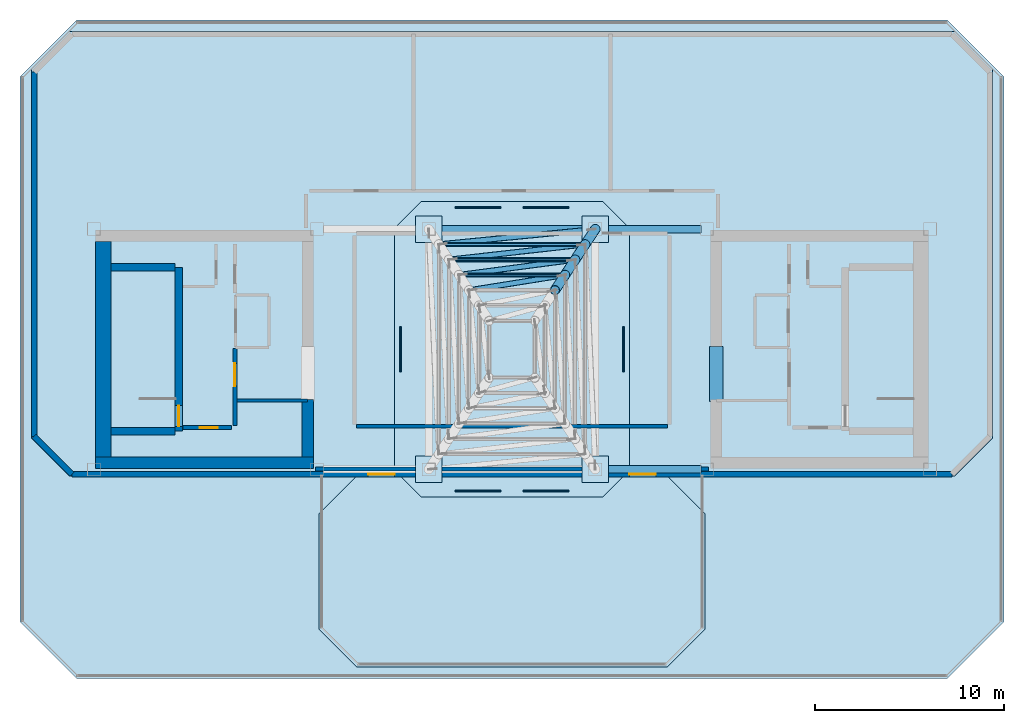
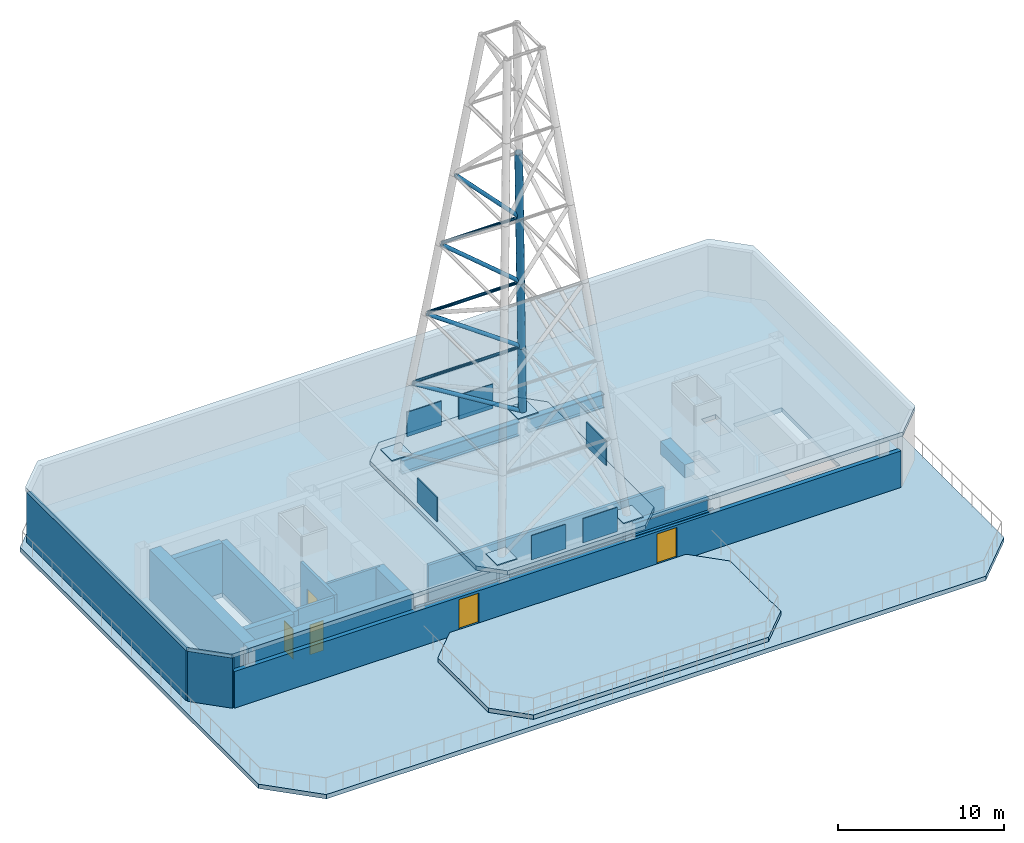
# One storey, part 2 of 7: 14 walls, 11 members, 10 plates, 5 doors, 4 beams, 4 slabs, 5 openings.
"""IFC4 building model written with IfcOpenShell, lengths in metres."""

from ifc_helpers import new_model, si_unit, direction, frame, frame_2d, origin, origin_2d, place, context, subcontext, project, spatial, polyline, rectangle, hollow_circle, i_section, outline, extrude, material, layer, layer_set, material_profile, profile_set, type_object, element, fill, save


model = new_model("IFC4")

# Units and contexts
model_context = context("Model", 3, precision=1e-05, world=origin(), true_north=direction((0.0, 1.0)))
body_context = subcontext(model_context, "Body", "Model", "MODEL_VIEW")
ifc_project = project(units=[si_unit("LENGTHUNIT", "METRE"), si_unit("AREAUNIT", "SQUARE_METRE"), si_unit("VOLUMEUNIT", "CUBIC_METRE"), si_unit("PLANEANGLEUNIT", "RADIAN"), si_unit("MASSUNIT", "GRAM", prefix="KILO")], contexts=[model_context])

# Site, building, storey
site_placement = place(None, origin())
site = spatial("IfcSite", under=ifc_project, at=site_placement, CompositionType="ELEMENT")
building_placement = place(site_placement, origin())
building = spatial("IfcBuilding", under=site, at=building_placement, Name="Tavrogorsk Clinical Tower", CompositionType="ELEMENT")
storey_placement = place(building_placement, frame((0.0, 0.0, 357.0)))
storey = spatial("IfcBuildingStorey", under=building, at=storey_placement, Name="L83", CompositionType="ELEMENT", Elevation=357.0)

# Beam
ifc_material_1 = material(Name="Concrete B80", Category="concrete")
ifc_material_profile_1 = material_profile(ifc_material_1, rectangle(XDim=0.699951171875, YDim=0.949951171875, at=origin_2d()), Name="RC-CB-700x950")
ifc_profile_set_1 = profile_set([ifc_material_profile_1], Name="Concrete B80")
beam_type_1 = type_object("IfcBeamType", Name="CouplingBeam_RC700x950", PredefinedType="LINTEL", material=ifc_profile_set_1)
beam_1_placement = place(storey_placement, frame((10.800048828125, -2.75, 3.22509765625), z_axis=(0.0, 1.0, 0.0), x_axis=(-1.0, 0.0, 0.0)))
element("IfcBeam", 1, at=beam_1_placement, inside=storey, type_object=beam_type_1, Name="L83 Core East Coupling Beam", PredefinedType="LINTEL", context=body_context, shape_type="SweptSolid", body=[
    extrude(rectangle(XDim=0.699951171875, YDim=0.949951171875, at=origin_2d()), origin(), (0.0, 0.0, 1.0), 2.89990234375),
])

# Members
ifc_material_2 = material(Name="Structural steel S440", Category="steel")
ifc_material_profile_2 = material_profile(ifc_material_2, hollow_circle(Radius=0.136474609375, WallThickness=0.012451171875, at=origin_2d()), Name="CHS-273x12.5")
ifc_profile_set_2 = profile_set([ifc_material_profile_2], Name="Structural steel S440")
member_type_1 = type_object("IfcMemberType", Name="MastBrace_CHS273_MAST", PredefinedType="USERDEFINED", material=ifc_profile_set_2)
member_1_placement = place(storey_placement, frame((4.2001953125, 6.33056640625, 4.431640625), z_axis=(-0.832431285914, -0.081398677443, 0.54811714947), x_axis=(0.097320091354, -0.995253133539, 0.0)))
element("IfcMember", 2, at=member_1_placement, inside=storey, type_object=member_type_1, Name="Broadcast Mast Diagonal Brace Tier 1 Face 3", ObjectType="MAST", PredefinedType="USERDEFINED", context=body_context, shape_type="SweptSolid", body=[
    extrude(hollow_circle(Radius=0.136474609375, WallThickness=0.012451171875, at=origin_2d()), origin(), (0.0, 0.0, 1.0), 9.450927734375),
])
member_2_placement = place(storey_placement, frame((3.676025390625, 5.520263671875, 9.887451171875), z_axis=(-0.794506902152, -0.089210986614, 0.600666448456), x_axis=(0.111583510671, -0.993755060438, 0.0)))
element("IfcMember", 3, at=member_2_placement, inside=storey, type_object=member_type_1, Name="Broadcast Mast Diagonal Brace Tier 2 Face 3", ObjectType="MAST", PredefinedType="USERDEFINED", context=body_context, shape_type="SweptSolid", body=[
    extrude(hollow_circle(Radius=0.136474609375, WallThickness=0.012451171875, at=origin_2d()), origin(), (0.0, 0.0, 1.0), 8.582275390625),
])
member_3_placement = place(storey_placement, frame((3.154541015625, 4.709716796875, 15.34521484375), z_axis=(-0.744309424169, -0.09809606833, 0.660591131088), x_axis=(0.130664812929, -0.991426601752, 0.0)))
element("IfcMember", 4, at=member_3_placement, inside=storey, type_object=member_type_1, Name="Broadcast Mast Diagonal Brace Tier 3 Face 3", ObjectType="MAST", PredefinedType="USERDEFINED", context=body_context, shape_type="SweptSolid", body=[
    extrude(hollow_circle(Radius=0.136474609375, WallThickness=0.012451171875, at=origin_2d()), origin(), (0.0, 0.0, 1.0), 7.760009765625),
])
member_4_placement = place(storey_placement, frame((2.637451171875, 3.899169921875, 20.8046875), z_axis=(-0.677351605092, -0.108079117711, 0.727676925149), x_axis=(0.157568101825, -0.98750812315, 0.0)))
element("IfcMember", 5, at=member_4_placement, inside=storey, type_object=member_type_1, Name="Broadcast Mast Diagonal Brace Tier 4 Face 3", ObjectType="MAST", PredefinedType="USERDEFINED", context=body_context, shape_type="SweptSolid", body=[
    extrude(hollow_circle(Radius=0.136474609375, WallThickness=0.012451171875, at=origin_2d()), origin(), (0.0, 0.0, 1.0), 7.000244140625),
])
ifc_material_3 = material(Name="Structural steel S440", Category="steel")
ifc_material_profile_3 = material_profile(ifc_material_3, hollow_circle(Radius=0.109619140625, WallThickness=0.010009765625, at=origin_2d()), Name="CHS-219.1x10")
ifc_profile_set_3 = profile_set([ifc_material_profile_3], Name="Structural steel S440")
member_type_2 = type_object("IfcMemberType", Name="MastGirt_CHS219_MAST", PredefinedType="USERDEFINED", material=ifc_profile_set_3)
member_5_placement = place(storey_placement, frame((3.686767578125, 5.541748046875, 9.743408203125), z_axis=(-1.0, 0.0, 0.0), x_axis=(0.0, -1.0, 0.0)))
element("IfcMember", 6, at=member_5_placement, inside=storey, type_object=member_type_2, Name="Broadcast Mast Ring Girt Tier 1 Face 3", ObjectType="MAST", PredefinedType="USERDEFINED", context=body_context, shape_type="SweptSolid", body=[
    extrude(hollow_circle(Radius=0.109619140625, WallThickness=0.010009765625, at=origin_2d()), origin(), (0.0, 0.0, 1.0), 7.37353515625),
])
member_6_placement = place(storey_placement, frame((3.1533203125, 4.7333984375, 15.186767578125), z_axis=(-1.0, 0.0, 0.0), x_axis=(0.0, -1.0, 0.0)))
element("IfcMember", 7, at=member_6_placement, inside=storey, type_object=member_type_2, Name="Broadcast Mast Ring Girt Tier 2 Face 3", ObjectType="MAST", PredefinedType="USERDEFINED", context=body_context, shape_type="SweptSolid", body=[
    extrude(hollow_circle(Radius=0.109619140625, WallThickness=0.010009765625, at=origin_2d()), origin(), (0.0, 0.0, 1.0), 6.306640625),
])
member_7_placement = place(storey_placement, frame((2.6201171875, 3.925048828125, 20.6298828125), z_axis=(-1.0, 0.0, 0.0), x_axis=(0.0, -1.0, 0.0)))
element("IfcMember", 8, at=member_7_placement, inside=storey, type_object=member_type_2, Name="Broadcast Mast Ring Girt Tier 3 Face 3", ObjectType="MAST", PredefinedType="USERDEFINED", context=body_context, shape_type="SweptSolid", body=[
    extrude(hollow_circle(Radius=0.109619140625, WallThickness=0.010009765625, at=origin_2d()), origin(), (0.0, 0.0, 1.0), 5.240234375),
])
ifc_material_4 = material(Name="Structural steel S440", Category="steel")
ifc_material_profile_4 = material_profile(ifc_material_4, hollow_circle(Radius=0.25390625, WallThickness=0.02001953125, at=origin_2d()), Name="CHS-508x20")
ifc_profile_set_4 = profile_set([ifc_material_profile_4], Name="Structural steel S440")
member_type_3 = type_object("IfcMemberType", Name="MastLeg_CHS508_MAST", PredefinedType="USERDEFINED", material=ifc_profile_set_4)
member_8_placement = place(storey_placement, frame((4.39990234375, 6.35009765625, 3.9599609375), z_axis=(-0.090928887162, -0.137850524447, 0.986270333321), x_axis=(0.834755420347, -0.550620911518, 0.0)))
element("IfcMember", 9, at=member_8_placement, inside=storey, type_object=member_type_3, Name="Broadcast Mast Leg Tier 1 Leg 3", ObjectType="MAST", PredefinedType="USERDEFINED", context=body_context, shape_type="SweptSolid", body=[
    extrude(hollow_circle(Radius=0.25390625, WallThickness=0.02001953125, at=origin_2d()), origin(), (0.0, 0.0, 1.0), 5.864013671875),
])
member_9_placement = place(storey_placement, frame((3.86669921875, 5.541748046875, 9.723388671875), z_axis=(-0.096141591018, -0.14568641092, 0.984648294646), x_axis=(0.834639537011, -0.550796553419, 0.0)))
element("IfcMember", 10, at=member_9_placement, inside=storey, type_object=member_type_3, Name="Broadcast Mast Leg Tier 2 Leg 3", ObjectType="MAST", PredefinedType="USERDEFINED", context=body_context, shape_type="SweptSolid", body=[
    extrude(hollow_circle(Radius=0.25390625, WallThickness=0.02001953125, at=origin_2d()), origin(), (0.0, 0.0, 1.0), 5.548583984375),
])
for number, where, z_axis, x_axis, name in (
    (11, (3.333251953125, 4.7333984375, 15.166748046875), (-0.096102160403, -0.145693339329, 0.984651118743), (0.834755420347, -0.550620911518, 0.0), "Broadcast Mast Leg Tier 3 Leg 3"),
    (12, (2.800048828125, 3.925048828125, 20.610107421875), (-0.096145756553, -0.145692723088, 0.984646953957), (0.834639537011, -0.550796553419, 0.0), "Broadcast Mast Leg Tier 4 Leg 3"),
):
    element("IfcMember", number, at=place(storey_placement, frame(where, z_axis=z_axis, x_axis=x_axis)), inside=storey, type_object=member_type_3, Name=name, ObjectType="MAST", PredefinedType="USERDEFINED", context=body_context, shape_type="SweptSolid", body=[
        extrude(hollow_circle(Radius=0.25390625, WallThickness=0.02001953125, at=origin_2d()), origin(), (0.0, 0.0, 1.0), 5.54833984375),
    ])

# Beams
ifc_material_5 = material(Name="Structural steel S440", Category="steel")
ifc_material_profile_5 = material_profile(ifc_material_5, i_section(OverallWidth=0.39990234375, OverallDepth=1.0, WebThickness=0.028076171875, FlangeThickness=0.044921875, at=origin_2d()), Name="DK-1000x400x28x45")
ifc_profile_set_5 = profile_set([ifc_material_profile_5], Name="Structural steel S440")
beam_type_2 = type_object("IfcBeamType", Name="TransferGirder_DK1000", PredefinedType="USERDEFINED", material=ifc_profile_set_5)
beam_2_placement = place(storey_placement, frame((-4.090087890625, 6.35009765625, 3.199951171875), z_axis=(1.0, 0.0, 0.0), x_axis=(0.0, 1.0, 0.0)))
element("IfcBeam", 13, at=beam_2_placement, inside=storey, type_object=beam_type_2, Name="L83 Primary Spine Girder MG-04", ObjectType="GIRDER", PredefinedType="USERDEFINED", context=body_context, shape_type="SweptSolid", body=[
    extrude(i_section(OverallWidth=0.39990234375, OverallDepth=1.0, WebThickness=0.028076171875, FlangeThickness=0.044921875, at=origin_2d()), origin(), (0.0, 0.0, 1.0), 8.18017578125),
])
for number, where, z_axis, x_axis, name in (
    (14, (4.7099609375, -6.35009765625, 3.199951171875), (1.0, 0.0, 0.0), (0.0, 1.0, 0.0), "L83 Primary Spine Girder MG-05"),
    (15, (4.7099609375, 6.35009765625, 3.199951171875), (1.0, 0.0, 0.0), (0.0, 1.0, 0.0), "L83 Primary Spine Girder MG-06"),
):
    element("IfcBeam", number, at=place(storey_placement, frame(where, z_axis=z_axis, x_axis=x_axis)), inside=storey, type_object=beam_type_2, Name=name, ObjectType="GIRDER", PredefinedType="USERDEFINED", context=body_context, shape_type="SweptSolid", body=[
        extrude(i_section(OverallWidth=0.39990234375, OverallDepth=1.0, WebThickness=0.028076171875, FlangeThickness=0.044921875, at=origin_2d()), origin(), (0.0, 0.0, 1.0), 5.280029296875),
    ])

# Plates
ifc_material_6 = material(Name="Powder-coated aluminium acoustic louvre", Category="aluminium")
ifc_layer_1 = layer(ifc_material_6, 0.074951171875)
ifc_layer_set_1 = layer_set([ifc_layer_1], Name="Powder-coated aluminium acoustic louvre")
plate_type_1 = type_object("IfcPlateType", Name="AcousticPlantLouvre_75", PredefinedType="SHEET", material=ifc_layer_set_1)
for number, where, z_axis, x_axis, name in (
    (16, (-1.800048828125, -7.5, 4.2998046875), (0.0, 0.0, 1.0), (1.0, 0.0, 0.0), "L83 Mast Turret Telemetry Louvre S1"),
    (17, (1.800048828125, -7.5, 4.2998046875), (0.0, 0.0, 1.0), (1.0, 0.0, 0.0), "L83 Mast Turret Telemetry Louvre S2"),
    (18, (-1.800048828125, 7.5, 4.2998046875), (0.0, 0.0, 1.0), (1.0, 0.0, 0.0), "L83 Mast Turret Telemetry Louvre N1"),
    (19, (1.800048828125, 7.5, 4.2998046875), (0.0, 0.0, 1.0), (1.0, 0.0, 0.0), "L83 Mast Turret Telemetry Louvre N2"),
    (20, (-5.89990234375, 0.0, 4.2998046875), (0.0, 0.0, 1.0), (0.0, 1.0, 0.0), "L83 Mast Turret Telemetry Louvre W1"),
    (21, (5.89990234375, 0.0, 4.2998046875), (0.0, 0.0, 1.0), (0.0, 1.0, 0.0), "L83 Mast Turret Telemetry Louvre E1"),
):
    element("IfcPlate", number, at=place(storey_placement, frame(where, z_axis=z_axis, x_axis=x_axis)), inside=storey, type_object=plate_type_1, Name=name, PredefinedType="SHEET", context=body_context, shape_type="SweptSolid", body=[
        extrude(rectangle(XDim=2.39990234375, YDim=0.074951171875, at=origin_2d()), origin(), (0.0, 0.0, 1.0), 1.800048828125),
    ])

# Slabs
ifc_material_7 = material(Name="Concrete B60", Category="concrete")
ifc_layer_2 = layer(ifc_material_7, 0.300048828125)
ifc_layer_set_2 = layer_set([ifc_layer_2], Name="Concrete B60")
slab_type_1 = type_object("IfcSlabType", Name="CrownRoofSlab_300", PredefinedType="FLOOR", material=ifc_layer_set_2)
slab_1_placement = place(storey_placement, frame((0.0, 0.0, 3.699951171875)))
element("IfcSlab", 22, at=slab_1_placement, inside=storey, type_object=slab_type_1, Name="L83 Crown Mast Structural Plinth Deck", PredefinedType="FLOOR", context=body_context, shape_type="SweptSolid", body=[
    extrude(outline(polyline([(-23.39990234375, -6.699951171875), (23.39990234375, -6.699951171875), (25.39990234375, -4.699951171875), (25.39990234375, 14.800048828125), (23.39990234375, 16.800048828125), (-23.39990234375, 16.800048828125), (-25.39990234375, 14.800048828125), (-25.39990234375, -4.699951171875), (-23.39990234375, -6.699951171875)])), origin(), (0.0, 0.0, 1.0), 0.300048828125),
])
slab_2_placement = place(storey_placement, frame((0.0, 0.0, 4.0)))
element("IfcSlab", 23, at=slab_2_placement, inside=storey, type_object=slab_type_1, Name="L83 Broadcast Mast Pedestal Slab", PredefinedType="FLOOR", context=body_context, shape_type="SweptSolid", body=[
    extrude(outline(polyline([(-4.800048828125, -7.800048828125), (4.800048828125, -7.800048828125), (6.199951171875, -6.39990234375), (6.199951171875, 6.39990234375), (4.800048828125, 7.800048828125), (-4.800048828125, 7.800048828125), (-6.199951171875, 6.39990234375), (-6.199951171875, -6.39990234375), (-4.800048828125, -7.800048828125)])), origin(), (0.0, 0.0, 1.0), 0.300048828125),
])
ifc_material_8 = material(Name="Concrete B60", Category="concrete")
ifc_layer_3 = layer(ifc_material_8, 0.320068359375)
ifc_layer_set_3 = layer_set([ifc_layer_3], Name="Concrete B60")
slab_type_2 = type_object("IfcSlabType", Name="HelipadDeckSlab_320", PredefinedType="ROOF", material=ifc_layer_set_3)
slab_3_placement = place(storey_placement, origin())
element("IfcSlab", 24, at=slab_3_placement, inside=storey, type_object=slab_type_2, Name="Rooftop Air-Ambulance Helipad Plinth", PredefinedType="ROOF", context=body_context, shape_type="SweptSolid", body=[
    extrude(outline(polyline([(-8.199951171875, -16.800048828125), (8.199951171875, -16.800048828125), (10.199951171875, -14.800048828125), (10.199951171875, -8.699951171875), (8.199951171875, -6.699951171875), (-8.199951171875, -6.699951171875), (-10.199951171875, -8.699951171875), (-10.199951171875, -14.800048828125), (-8.199951171875, -16.800048828125)])), origin(), (0.0, 0.0, 1.0), 0.320068359375),
])

# Plates
ifc_material_9 = material(Name="Structural steel S440", Category="steel")
ifc_layer_4 = layer(ifc_material_9, 0.080078125)
ifc_layer_set_4 = layer_set([ifc_layer_4], Name="Structural steel S440")
plate_type_2 = type_object("IfcPlateType", Name="MastBasePlate_1400x1400x80", PredefinedType="USERDEFINED", material=ifc_layer_set_4)
for number, where, z_axis, x_axis, name in (
    (25, (-4.39990234375, -6.35009765625, 4.300048828125), (0.0, 0.0, 1.0), (1.0, 0.0, 0.0), "Broadcast Mast Leg Base Plate MP-01-1"),
    (26, (4.39990234375, -6.35009765625, 4.300048828125), (0.0, 0.0, 1.0), (1.0, 0.0, 0.0), "Broadcast Mast Leg Base Plate MP-01-2"),
    (27, (4.39990234375, 6.35009765625, 4.300048828125), (0.0, 0.0, 1.0), (1.0, 0.0, 0.0), "Broadcast Mast Leg Base Plate MP-01-3"),
    (28, (-4.39990234375, 6.35009765625, 4.300048828125), (0.0, 0.0, 1.0), (1.0, 0.0, 0.0), "Broadcast Mast Leg Base Plate MP-01-4"),
):
    element("IfcPlate", number, at=place(storey_placement, frame(where, z_axis=z_axis, x_axis=x_axis)), inside=storey, type_object=plate_type_2, Name=name, ObjectType="BASE_PLATE", PredefinedType="USERDEFINED", context=body_context, shape_type="SweptSolid", body=[
        extrude(rectangle(XDim=1.39990234375, YDim=1.39990234375, at=origin_2d()), origin(), (0.0, 0.0, 1.0), 0.080078125),
    ])

# Slab
ifc_material_10 = material(Name="Concrete B60", Category="concrete")
ifc_layer_5 = layer(ifc_material_10, 0.320068359375)
ifc_layer_set_5 = layer_set([ifc_layer_5], Name="Concrete B60")
slab_type_3 = type_object("IfcSlabType", Name="PlantRefugeSlab_320", PredefinedType="FLOOR", material=ifc_layer_set_5)
slab_4_placement = place(storey_placement, frame((0.0, 0.0, -0.320068359375)))
element("IfcSlab", 29, at=slab_4_placement, inside=storey, type_object=slab_type_3, Name="L83 Structural Slab", PredefinedType="FLOOR", context=body_context, shape_type="SweptSolid", body=[
    extrude(outline(polyline([(-23.0, -17.39990234375), (23.0, -17.39990234375), (26.0, -14.39990234375), (26.0, 14.39990234375), (23.0, 17.39990234375), (-23.0, 17.39990234375), (-26.0, 14.39990234375), (-26.0, -14.39990234375), (-23.0, -17.39990234375)]), holes=[polyline([(-17.800048828125, -2.8798828125), (-17.800048828125, 4.125), (-21.199951171875, 4.125), (-21.199951171875, -2.8798828125), (-17.800048828125, -2.8798828125)]), polyline([(21.199951171875, -2.8798828125), (21.199951171875, 4.125), (17.800048828125, 4.125), (17.800048828125, -2.8798828125), (21.199951171875, -2.8798828125)]), polyline([(-14.6201171875, 0.169921875), (-12.860107421875, 0.169921875), (-12.860107421875, 2.72998046875), (-14.6201171875, 2.72998046875), (-14.6201171875, 0.169921875)]), polyline([(12.860107421875, 0.169921875), (14.6201171875, 0.169921875), (14.6201171875, 2.72998046875), (12.860107421875, 2.72998046875), (12.860107421875, 0.169921875)]), polyline([(-17.3798828125, 3.449951171875), (-16.3798828125, 3.449951171875), (-16.3798828125, 5.5), (-17.3798828125, 5.5), (-17.3798828125, 3.449951171875)]), polyline([(16.3798828125, 3.449951171875), (17.3798828125, 3.449951171875), (17.3798828125, 5.5), (16.3798828125, 5.5), (16.3798828125, 3.449951171875)])]), origin(), (0.0, 0.0, 1.0), 0.320068359375),
])

# Wall, opening, door
ifc_material_11 = material(Name="Concrete B60", Category="concrete")
ifc_layer_6 = layer(ifc_material_11, 0.199951171875)
ifc_layer_set_6 = layer_set([ifc_layer_6], Name="Concrete B60")
wall_type_1 = type_object("IfcWallType", Name="CoreFireWall_200", PredefinedType="SOLIDWALL", material=ifc_layer_set_6)
wall_1_placement = place(storey_placement, frame((-17.3798828125, -4.139892578125, 0.0), z_axis=(0.0, 0.0, 1.0), x_axis=(1.0, 0.0, 0.0)))
wall_1 = element("IfcWall", 30, at=wall_1_placement, inside=storey, type_object=wall_type_1, Name="L83 Core West South Core Room Fire Wall", PredefinedType="SOLIDWALL", context=body_context, shape_type="SweptSolid", body=[
    extrude(rectangle(XDim=2.554931640625, YDim=0.199951171875, at=frame_2d((1.27734375, 0.0))), origin(), (0.0, 0.0, 1.0), 3.699951171875),
])
opening_1_placement = place(wall_1_placement, frame((0.8798828125, 0.0, 0.0)))
opening_1 = element("IfcOpeningElement", 31, at=opening_1_placement, cuts=wall_1, Name="Opening ID-02", PredefinedType="OPENING", context=body_context, shape_type="SweptSolid", body=[
    extrude(rectangle(XDim=0.949951171875, YDim=2.199951171875, at=frame_2d((0.47509765625, 1.10009765625))), frame((0.0, 0.10986328125, 0.0), z_axis=(0.0, -1.0, 0.0), x_axis=(1.0, 0.0, 0.0)), (0.0, 0.0, 1.0), 0.219970703125),
])
ifc_material_12 = material(Name="Laminated timber leaf on aluminium frame", Category="wood")
door_type_1 = type_object("IfcDoorType", Name="InteriorDoor_ID02_950", OperationType="NOTDEFINED", PredefinedType="DOOR", material=ifc_material_12)
door_1_placement = place(opening_1_placement, origin())
door_1 = element("IfcDoor", 32, at=door_1_placement, inside=storey, type_object=door_type_1, Name="L83 Core West South Core Room Door", OperationType="SINGLE_SWING_RIGHT", OverallHeight=2.199951171875, OverallWidth=0.949951171875, PredefinedType="DOOR", context=body_context, shape_type="SweptSolid", body=[
    extrude(rectangle(XDim=0.949951171875, YDim=2.199951171875, at=frame_2d((0.47509765625, 1.10009765625))), frame((0.0, 0.02490234375, 0.0), z_axis=(0.0, -1.0, 0.0), x_axis=(1.0, 0.0, 0.0)), (0.0, 0.0, 1.0), 0.050048828125),
])
fill(opening_1, door_1)

wall_2_placement = place(storey_placement, frame((-14.639892578125, -4.034912109375, 0.0), z_axis=(0.0, 0.0, 1.0), x_axis=(0.0, 1.0, 0.0)))
wall_2 = element("IfcWall", 33, at=wall_2_placement, inside=storey, type_object=wall_type_1, Name="L83 Core West Firefighting Lobby Fire Wall", PredefinedType="SOLIDWALL", context=body_context, shape_type="SweptSolid", body=[
    extrude(rectangle(XDim=4.074951171875, YDim=0.199951171875, at=frame_2d((2.03759765625, 0.0))), origin(), (0.0, 0.0, 1.0), 3.699951171875),
])
opening_2_placement = place(wall_2_placement, frame((2.090087890625, 0.0, 0.0)))
opening_2 = element("IfcOpeningElement", 34, at=opening_2_placement, cuts=wall_2, Name="Opening FD-01", PredefinedType="OPENING", context=body_context, shape_type="SweptSolid", body=[
    extrude(rectangle(XDim=1.199951171875, YDim=2.199951171875, at=frame_2d((0.60009765625, 1.10009765625))), frame((0.0, 0.10986328125, 0.0), z_axis=(0.0, -1.0, 0.0), x_axis=(1.0, 0.0, 0.0)), (0.0, 0.0, 1.0), 0.219970703125),
])
ifc_material_13 = material(Name="Galvanised steel fire-rated door assembly", Category="steel")
door_type_2 = type_object("IfcDoorType", Name="FireDoor_FD01_1200", OperationType="NOTDEFINED", PredefinedType="DOOR", material=ifc_material_13)
door_2_placement = place(opening_2_placement, origin())
door_2 = element("IfcDoor", 35, at=door_2_placement, inside=storey, type_object=door_type_2, Name="L83 Core West Firefighting Lobby Entry Door", OperationType="SINGLE_SWING_RIGHT", OverallHeight=2.199951171875, OverallWidth=1.199951171875, PredefinedType="DOOR", context=body_context, shape_type="SweptSolid", body=[
    extrude(rectangle(XDim=1.199951171875, YDim=2.199951171875, at=frame_2d((0.60009765625, 1.10009765625))), frame((0.0, 0.02490234375, 0.0), z_axis=(0.0, -1.0, 0.0), x_axis=(1.0, 0.0, 0.0)), (0.0, 0.0, 1.0), 0.050048828125),
])
fill(opening_2, door_2)

# Walls
wall_3_placement = place(storey_placement, frame((10.3798828125, -6.330078125, 0.0), z_axis=(0.0, 0.0, 1.0), x_axis=(-1.0, 0.0, 0.0)))
element("IfcWall", 36, at=wall_3_placement, inside=storey, type_object=wall_type_1, Name="L83 Crown Corridor Wall 04", PredefinedType="SOLIDWALL", context=body_context, shape_type="SweptSolid", body=[
    extrude(rectangle(XDim=20.759765625, YDim=0.199951171875, at=frame_2d((10.3798828125, 0.0))), origin(), (0.0, 0.0, 1.0), 2.695068359375),
])
wall_4_placement = place(storey_placement, frame((-8.215087890625, -4.070068359375, 0.0), z_axis=(0.0, 0.0, 1.0), x_axis=(1.0, 0.0, 0.0)))
element("IfcWall", 37, at=wall_4_placement, inside=storey, type_object=wall_type_1, Name="L83 Crown Corridor Wall 08", PredefinedType="SOLIDWALL", context=body_context, shape_type="SweptSolid", body=[
    extrude(rectangle(XDim=16.43017578125, YDim=0.199951171875, at=frame_2d((8.215087890625, 0.0))), origin(), (0.0, 0.0, 1.0), 3.699951171875),
])
ifc_material_14 = material(Name="Lightweight concrete blockwork B15", Category="masonry")
ifc_layer_7 = layer(ifc_material_14, 0.159912109375)
ifc_layer_set_7 = layer_set([ifc_layer_7], Name="Lightweight concrete blockwork B15")
wall_type_2 = type_object("IfcWallType", Name="PartitionWall_160", PredefinedType="PARTITIONING", material=ifc_layer_set_7)
wall_5_placement = place(storey_placement, frame((-14.534912109375, -2.699951171875, 0.0), z_axis=(0.0, 0.0, 1.0), x_axis=(1.0, 0.0, 0.0)))
element("IfcWall", 38, at=wall_5_placement, inside=storey, type_object=wall_type_2, Name="L83 Core West Freed Mid-Bank North Partition", PredefinedType="PARTITIONING", context=body_context, shape_type="SweptSolid", body=[
    extrude(rectangle(XDim=3.73486328125, YDim=0.159912109375, at=frame_2d((1.867431640625, 0.0))), origin(), (0.0, 0.0, 1.0), 3.699951171875),
])

# Wall, opening, door
ifc_material_15 = material(Name="Concrete B80", Category="concrete")
ifc_layer_8 = layer(ifc_material_15, 0.39990234375)
ifc_layer_set_8 = layer_set([ifc_layer_8], Name="Concrete B80")
wall_type_3 = type_object("IfcWallType", Name="ShearWall_400", PredefinedType="SHEAR", material=ifc_layer_set_8)
wall_6_placement = place(storey_placement, frame((-17.60009765625, -4.324951171875, 0.0), z_axis=(0.0, 0.0, 1.0), x_axis=(0.0, 1.0, 0.0)))
wall_6 = element("IfcWall", 39, at=wall_6_placement, inside=storey, type_object=wall_type_3, Name="L83 Core West Stair Shaft Inner Shear Wall", PredefinedType="SHEAR", context=body_context, shape_type="SweptSolid", body=[
    extrude(rectangle(XDim=8.64990234375, YDim=0.39990234375, at=frame_2d((4.324951171875, 0.0))), origin(), (0.0, 0.0, 1.0), 3.699951171875),
])
opening_3_placement = place(wall_6_placement, frame((0.25, 0.0, 0.0)))
opening_3 = element("IfcOpeningElement", 40, at=opening_3_placement, cuts=wall_6, Name="Opening SD-01", PredefinedType="OPENING", context=body_context, shape_type="SweptSolid", body=[
    extrude(rectangle(XDim=1.10009765625, YDim=2.199951171875, at=frame_2d((0.550048828125, 1.10009765625))), frame((0.0, 0.2099609375, 0.0), z_axis=(0.0, -1.0, 0.0), x_axis=(1.0, 0.0, 0.0)), (0.0, 0.0, 1.0), 0.419921875),
])
ifc_material_16 = material(Name="Galvanised steel smoke-tight fire door assembly", Category="steel")
door_type_3 = type_object("IfcDoorType", Name="StairFireDoor_SD01_1100", OperationType="NOTDEFINED", PredefinedType="DOOR", material=ifc_material_16)
door_3_placement = place(opening_3_placement, origin())
door_3 = element("IfcDoor", 41, at=door_3_placement, inside=storey, type_object=door_type_3, Name="L83 ST-W Exit Stair Door", OperationType="SINGLE_SWING_RIGHT", OverallHeight=2.199951171875, OverallWidth=1.10009765625, PredefinedType="DOOR", context=body_context, shape_type="SweptSolid", body=[
    extrude(rectangle(XDim=1.10009765625, YDim=2.199951171875, at=frame_2d((0.550048828125, 1.10009765625))), frame((0.0, 0.02490234375, 0.0), z_axis=(0.0, -1.0, 0.0), x_axis=(1.0, 0.0, 0.0)), (0.0, 0.0, 1.0), 0.050048828125),
])
fill(opening_3, door_3)

# Walls
for number, where, z_axis, x_axis, name in (
    (42, (-21.199951171875, -4.324951171875, 0.0), (0.0, 0.0, 1.0), (1.0, 0.0, 0.0), "L83 Core West Stair Shaft South Shear Wall"),
    (43, (-21.199951171875, 4.324951171875, 0.0), (0.0, 0.0, 1.0), (1.0, 0.0, 0.0), "L83 Core West Stair Shaft North Shear Wall"),
):
    element("IfcWall", number, at=place(storey_placement, frame(where, z_axis=z_axis, x_axis=x_axis)), inside=storey, type_object=wall_type_3, Name=name, PredefinedType="SHEAR", context=body_context, shape_type="SweptSolid", body=[
        extrude(rectangle(XDim=3.39990234375, YDim=0.39990234375, at=frame_2d((1.699951171875, 0.0))), origin(), (0.0, 0.0, 1.0), 3.699951171875),
    ])
ifc_material_17 = material(Name="Concrete B80", Category="concrete")
ifc_layer_9 = layer(ifc_material_17, 0.60009765625)
ifc_layer_set_9 = layer_set([ifc_layer_9], Name="Concrete B80")
wall_type_4 = type_object("IfcWallType", Name="ShearWall_600", PredefinedType="SHEAR", material=ifc_layer_set_9)
wall_7_placement = place(storey_placement, frame((-22.0, -6.0, 0.0), z_axis=(0.0, 0.0, 1.0), x_axis=(1.0, 0.0, 0.0)))
element("IfcWall", 44, at=wall_7_placement, inside=storey, type_object=wall_type_4, Name="L83 Core West South Shear Wall", PredefinedType="SHEAR", context=body_context, shape_type="SweptSolid", body=[
    extrude(rectangle(XDim=11.5, YDim=0.60009765625, at=frame_2d((5.75, 0.0))), origin(), (0.0, 0.0, 1.0), 3.699951171875),
])
wall_8_placement = place(storey_placement, frame((-10.800048828125, -5.699951171875, 0.0), z_axis=(0.0, 0.0, 1.0), x_axis=(0.0, 1.0, 0.0)))
element("IfcWall", 45, at=wall_8_placement, inside=storey, type_object=wall_type_4, Name="L83 Core West Inner South Pier", PredefinedType="SHEAR", context=body_context, shape_type="SweptSolid", body=[
    extrude(rectangle(XDim=3.050048828125, YDim=0.60009765625, at=frame_2d((1.52490234375, 0.0))), origin(), (0.0, 0.0, 1.0), 3.699951171875),
])
ifc_material_18 = material(Name="Concrete B80", Category="concrete")
ifc_layer_10 = layer(ifc_material_18, 0.800048828125)
ifc_layer_set_10 = layer_set([ifc_layer_10], Name="Concrete B80")
wall_type_5 = type_object("IfcWallType", Name="ShearWall_800", PredefinedType="SHEAR", material=ifc_layer_set_10)
wall_9_placement = place(storey_placement, frame((-21.60009765625, -5.699951171875, 0.0), z_axis=(0.0, 0.0, 1.0), x_axis=(0.0, 1.0, 0.0)))
element("IfcWall", 46, at=wall_9_placement, inside=storey, type_object=wall_type_5, Name="L83 Core West End Shear Wall", PredefinedType="SHEAR", context=body_context, shape_type="SweptSolid", body=[
    extrude(rectangle(XDim=11.39990234375, YDim=0.800048828125, at=frame_2d((5.699951171875, 0.0))), origin(), (0.0, 0.0, 1.0), 3.699951171875),
])

# Wall, openings, doors
ifc_material_19 = material(Name="Precast concrete B45 with mineral wool", Category="concrete")
ifc_layer_11 = layer(ifc_material_19, 0.300048828125)
ifc_layer_set_11 = layer_set([ifc_layer_11], Name="Precast concrete B45 with mineral wool")
wall_type_6 = type_object("IfcWallType", Name="SpandrelBackWall_300", PredefinedType="STANDARD", material=ifc_layer_set_11)
wall_10_placement = place(storey_placement, frame((-23.25, -6.60009765625, 0.0), z_axis=(0.0, 0.0, 1.0), x_axis=(1.0, 0.0, 0.0)))
wall_10 = element("IfcWall", 47, at=wall_10_placement, inside=storey, type_object=wall_type_6, Name="L83 Crown Control Pavilion Wall 1", PredefinedType="STANDARD", context=body_context, shape_type="SweptSolid", body=[
    extrude(rectangle(XDim=46.5, YDim=0.300048828125, at=frame_2d((23.25, 0.0))), origin(), (0.0, 0.0, 1.0), 2.695068359375),
])
opening_4_placement = place(wall_10_placement, frame((15.64990234375, 0.0, 0.320068359375)))
opening_4 = element("IfcOpeningElement", 48, at=opening_4_placement, cuts=wall_10, Name="Opening ED-03", PredefinedType="OPENING", context=body_context, shape_type="SweptSolid", body=[
    extrude(rectangle(XDim=1.39990234375, YDim=2.199951171875, at=frame_2d((0.699951171875, 1.10009765625))), frame((0.0, 0.159912109375, 0.0), z_axis=(0.0, -1.0, 0.0), x_axis=(1.0, 0.0, 0.0)), (0.0, 0.0, 1.0), 0.320068359375),
])
opening_5_placement = place(wall_10_placement, frame((29.449951171875, 0.0, 0.320068359375)))
opening_5 = element("IfcOpeningElement", 49, at=opening_5_placement, cuts=wall_10, Name="Opening ED-03", PredefinedType="OPENING", context=body_context, shape_type="SweptSolid", body=[
    extrude(rectangle(XDim=1.39990234375, YDim=2.199951171875, at=frame_2d((0.699951171875, 1.10009765625))), frame((0.0, 0.159912109375, 0.0), z_axis=(0.0, -1.0, 0.0), x_axis=(1.0, 0.0, 0.0)), (0.0, 0.0, 1.0), 0.320068359375),
])
ifc_material_20 = material(Name="Thermally broken aluminium and laminated safety glass", Category="aluminium")
door_type_4 = type_object("IfcDoorType", Name="TerraceGlassDoor_ED03_1400", OperationType="DOUBLE_SWING_LEFT", PredefinedType="DOOR", material=ifc_material_20)
door_4_placement = place(opening_4_placement, origin())
door_4 = element("IfcDoor", 50, at=door_4_placement, inside=storey, type_object=door_type_4, Name="L83 Rooftop Helipad West Access Door", OperationType="SINGLE_SWING_LEFT", OverallHeight=2.199951171875, OverallWidth=1.39990234375, PredefinedType="DOOR", context=body_context, shape_type="SweptSolid", body=[
    extrude(rectangle(XDim=1.39990234375, YDim=2.199951171875, at=frame_2d((0.699951171875, 1.10009765625))), frame((0.0, 0.02490234375, 0.0), z_axis=(0.0, -1.0, 0.0), x_axis=(1.0, 0.0, 0.0)), (0.0, 0.0, 1.0), 0.050048828125),
])
fill(opening_4, door_4)
door_5_placement = place(opening_5_placement, origin())
door_5 = element("IfcDoor", 51, at=door_5_placement, inside=storey, type_object=door_type_4, Name="L83 Rooftop Helipad East Access Door", OperationType="SINGLE_SWING_RIGHT", OverallHeight=2.199951171875, OverallWidth=1.39990234375, PredefinedType="DOOR", context=body_context, shape_type="SweptSolid", body=[
    extrude(rectangle(XDim=1.39990234375, YDim=2.199951171875, at=frame_2d((0.699951171875, 1.10009765625))), frame((0.0, 0.02490234375, 0.0), z_axis=(0.0, -1.0, 0.0), x_axis=(1.0, 0.0, 0.0)), (0.0, 0.0, 1.0), 0.050048828125),
])
fill(opening_5, door_5)

# Walls
wall_11_placement = place(storey_placement, frame((-25.25, 14.64990234375, 0.0), z_axis=(0.0, 0.0, 1.0), x_axis=(0.0, -1.0, 0.0)))
element("IfcWall", 52, at=wall_11_placement, inside=storey, type_object=wall_type_6, Name="L83 Crown Control Pavilion Wall 7", PredefinedType="STANDARD", context=body_context, shape_type="SweptSolid", body=[
    extrude(rectangle(XDim=19.25, YDim=0.300048828125, at=frame_2d((9.625, 0.0))), origin(), (0.0, 0.0, 1.0), 3.699951171875),
])
wall_12_placement = place(storey_placement, frame((-25.25, -4.60009765625, 0.0), z_axis=(0.0, 0.0, 1.0), x_axis=(0.707106781187, -0.707106781187, 0.0)))
element("IfcWall", 53, at=wall_12_placement, inside=storey, type_object=wall_type_6, Name="L83 Crown Control Pavilion Wall 8", PredefinedType="STANDARD", context=body_context, shape_type="SweptSolid", body=[
    extrude(rectangle(XDim=2.828369140625, YDim=0.300048828125, at=frame_2d((1.4140625, 0.0))), origin(), (0.0, 0.0, 1.0), 3.699951171875),
])

save(model, "model.ifc")
